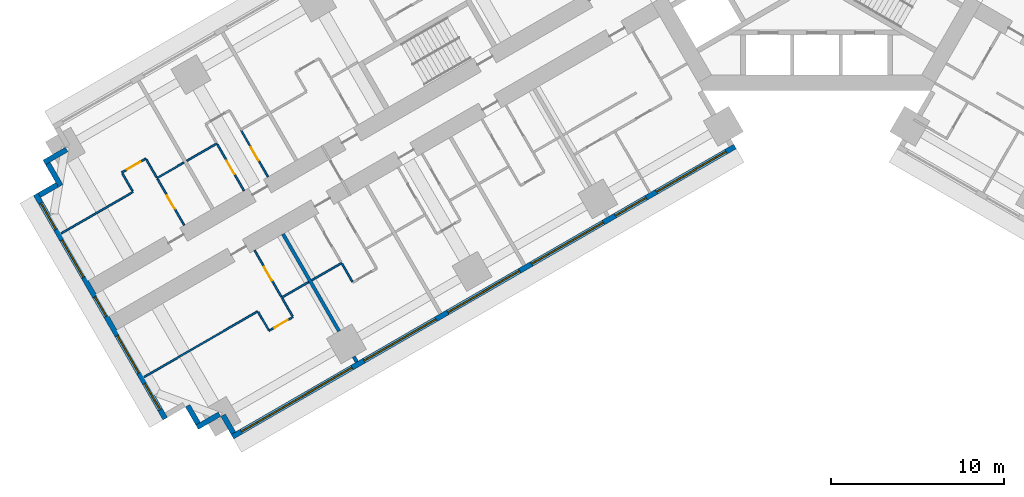
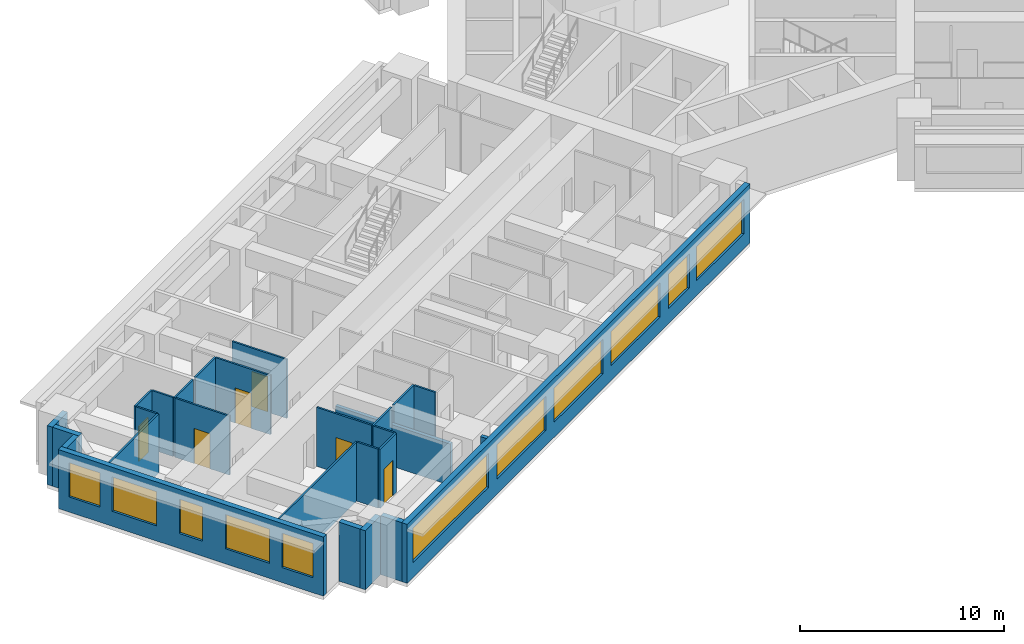
# One storey, part 3 of 16: 27 walls, 11 windows, 6 doors, 17 openings.
"""IFC4 building model written with IfcOpenShell, lengths in metres."""

from ifc_helpers import new_model, si_unit, direction, frame, frame_2d, origin, place, context, subcontext, project, spatial, rectangle, extrude, material, layer, layer_set, type_object, element, fill, save


model = new_model("IFC4")

# Units and contexts
model_context = context("Model", 3, precision=1e-05, world=origin(), true_north=direction((0.0, 1.0)))
body_context = subcontext(model_context, "Body", "Model", "MODEL_VIEW")
ifc_project = project(units=[si_unit("LENGTHUNIT", "METRE"), si_unit("AREAUNIT", "SQUARE_METRE"), si_unit("VOLUMEUNIT", "CUBIC_METRE"), si_unit("PLANEANGLEUNIT", "RADIAN"), si_unit("MASSUNIT", "GRAM", prefix="KILO")], contexts=[model_context])

# Site, building, storey
site_placement = place(None, origin())
site = spatial("IfcSite", under=ifc_project, at=site_placement, CompositionType="ELEMENT")
building_placement = place(site_placement, origin())
building = spatial("IfcBuilding", under=site, at=building_placement, Name="Impinga Residences", CompositionType="ELEMENT")
storey_placement = place(building_placement, frame((0.0, 0.0, 41.0)))
storey = spatial("IfcBuildingStorey", under=building, at=storey_placement, Name="L09", CompositionType="ELEMENT", Elevation=41.0)

# Walls
ifc_material_1 = material(Name="Terracotta rainscreen on blockwork", Category="masonry")
ifc_layer_1 = layer(ifc_material_1, 0.300048828125)
ifc_layer_set_1 = layer_set([ifc_layer_1], Name="EW1 external wall, terracotta rainscreen on blockwork 300")
wall_type_1 = type_object("IfcWallType", Name="EW1 external wall, terracotta rainscreen on blockwork 300", PredefinedType="SOLIDWALL", material=ifc_layer_set_1)
wall_1_placement = place(storey_placement, frame((-33.7685546875, -31.274169921875, 0.0), z_axis=(0.0, 0.0, 1.0), x_axis=(-0.499940577336, 0.866059708757, 0.0)))
element("IfcWall", 1, at=wall_1_placement, inside=storey, type_object=wall_type_1, Name="External wall EW1 L09", PredefinedType="SOLIDWALL", context=body_context, shape_type="SweptSolid", body=[
    extrude(rectangle(XDim=1.195068359375, YDim=0.300048828125, at=frame_2d((0.59765625, 0.0))), origin(), (0.0, 0.0, 1.0), 3.530029296875),
])
wall_2_placement = place(storey_placement, frame((-34.573486328125, -30.18017578125, 0.0), z_axis=(0.0, 0.0, 1.0), x_axis=(-0.866031096941, -0.499990139034, 0.0)))
element("IfcWall", 2, at=wall_2_placement, inside=storey, type_object=wall_type_1, Name="External wall EW1 L09", PredefinedType="SOLIDWALL", context=body_context, shape_type="SweptSolid", body=[
    extrude(rectangle(XDim=1.5, YDim=0.300048828125, at=frame_2d((0.75, 0.0))), origin(), (0.0, 0.0, 1.0), 3.530029296875),
])
wall_3_placement = place(storey_placement, frame((-35.817626953125, -30.72509765625, 0.0), z_axis=(0.0, 0.0, 1.0), x_axis=(-0.499969057507, 0.866043267704, 0.0)))
element("IfcWall", 3, at=wall_3_placement, inside=storey, type_object=wall_type_1, Name="External wall EW1 L09", PredefinedType="SOLIDWALL", context=body_context, shape_type="SweptSolid", body=[
    extrude(rectangle(XDim=1.19970703125, YDim=0.300048828125, at=frame_2d((0.599853515625, 0.0))), origin(), (0.0, 0.0, 1.0), 3.530029296875),
])

# Wall, openings, windows
wall_4_placement = place(storey_placement, frame((-37.716552734375, -30.43603515625, 0.0), z_axis=(0.0, 0.0, 1.0), x_axis=(-0.499997186618, 0.866027028085, 0.0)))
wall_4 = element("IfcWall", 4, at=wall_4_placement, inside=storey, type_object=wall_type_1, Name="External wall EW1 L09", PredefinedType="SOLIDWALL", context=body_context, shape_type="SweptSolid", body=[
    extrude(rectangle(XDim=15.0, YDim=0.300048828125, at=frame_2d((7.5, 0.0))), origin(), (0.0, 0.0, 1.0), 3.530029296875),
])
opening_1_placement = place(wall_4_placement, frame((0.60009765625, 0.0, 0.89990234375)))
opening_1 = element("IfcOpeningElement", 5, at=opening_1_placement, cuts=wall_4, Name="Opening W1", PredefinedType="OPENING", context=body_context, shape_type="SweptSolid", body=[
    extrude(rectangle(XDim=1.75, YDim=2.050048828125, at=frame_2d((0.875, 1.02490234375))), frame((0.0, 0.159912109375, 0.0), z_axis=(0.0, -1.0, 0.0), x_axis=(1.0, 0.0, 0.0)), (0.0, 0.0, 1.0), 0.320068359375),
])
opening_2_placement = place(wall_4_placement, frame((3.050048828125, 0.0, 0.89990234375)))
opening_2 = element("IfcOpeningElement", 6, at=opening_2_placement, cuts=wall_4, Name="Opening W2", PredefinedType="OPENING", context=body_context, shape_type="SweptSolid", body=[
    extrude(rectangle(XDim=2.5, YDim=2.050048828125, at=frame_2d((1.25, 1.02490234375))), frame((0.0, 0.159912109375, 0.0), z_axis=(0.0, -1.0, 0.0), x_axis=(1.0, 0.0, 0.0)), (0.0, 0.0, 1.0), 0.320068359375),
])
opening_3_placement = place(wall_4_placement, frame((6.85009765625, 0.0, 0.89990234375)))
opening_3 = element("IfcOpeningElement", 7, at=opening_3_placement, cuts=wall_4, Name="Opening WE1", PredefinedType="OPENING", context=body_context, shape_type="SweptSolid", body=[
    extrude(rectangle(XDim=1.300048828125, YDim=2.050048828125, at=frame_2d((0.64990234375, 1.02490234375))), frame((0.0, 0.159912109375, 0.0), z_axis=(0.0, -1.0, 0.0), x_axis=(1.0, 0.0, 0.0)), (0.0, 0.0, 1.0), 0.320068359375),
])
opening_4_placement = place(wall_4_placement, frame((9.449951171875, 0.0, 0.89990234375)))
opening_4 = element("IfcOpeningElement", 8, at=opening_4_placement, cuts=wall_4, Name="Opening W2", PredefinedType="OPENING", context=body_context, shape_type="SweptSolid", body=[
    extrude(rectangle(XDim=2.5, YDim=2.050048828125, at=frame_2d((1.25, 1.02490234375))), frame((0.0, 0.159912109375, 0.0), z_axis=(0.0, -1.0, 0.0), x_axis=(1.0, 0.0, 0.0)), (0.0, 0.0, 1.0), 0.320068359375),
])
opening_5_placement = place(wall_4_placement, frame((12.64990234375, 0.0, 0.89990234375)))
opening_5 = element("IfcOpeningElement", 9, at=opening_5_placement, cuts=wall_4, Name="Opening W1", PredefinedType="OPENING", context=body_context, shape_type="SweptSolid", body=[
    extrude(rectangle(XDim=1.75, YDim=2.050048828125, at=frame_2d((0.875, 1.02490234375))), frame((0.0, 0.159912109375, 0.0), z_axis=(0.0, -1.0, 0.0), x_axis=(1.0, 0.0, 0.0)), (0.0, 0.0, 1.0), 0.320068359375),
])
ifc_material_2 = material(Name="Aluminium window, clear double glazing", Category="aluminium")
window_type_1 = type_object("IfcWindowType", Name="W1 ribbon window 1750x2050", PartitioningType="SINGLE_PANEL", PredefinedType="WINDOW", material=ifc_material_2)
window_1_placement = place(opening_1_placement, origin())
window_1 = element("IfcWindow", 10, at=window_1_placement, inside=storey, type_object=window_type_1, Name="Window L09", OverallHeight=2.050048828125, OverallWidth=1.75, PartitioningType="SINGLE_PANEL", PredefinedType="WINDOW", context=body_context, shape_type="SweptSolid", body=[
    extrude(rectangle(XDim=1.75, YDim=2.050048828125, at=frame_2d((0.875, 1.02490234375))), frame((0.0, 0.030029296875, 0.0), z_axis=(0.0, -1.0, 0.0), x_axis=(1.0, 0.0, 0.0)), (0.0, 0.0, 1.0), 0.06005859375),
])
fill(opening_1, window_1)
window_2_placement = place(opening_5_placement, origin())
window_2 = element("IfcWindow", 11, at=window_2_placement, inside=storey, type_object=window_type_1, Name="Window L09", OverallHeight=2.050048828125, OverallWidth=1.75, PartitioningType="SINGLE_PANEL", PredefinedType="WINDOW", context=body_context, shape_type="SweptSolid", body=[
    extrude(rectangle(XDim=1.75, YDim=2.050048828125, at=frame_2d((0.875, 1.02490234375))), frame((0.0, 0.030029296875, 0.0), z_axis=(0.0, -1.0, 0.0), x_axis=(1.0, 0.0, 0.0)), (0.0, 0.0, 1.0), 0.06005859375),
])
fill(opening_5, window_2)
window_type_2 = type_object("IfcWindowType", Name="W2 ribbon window 2500x2050", PartitioningType="SINGLE_PANEL", PredefinedType="WINDOW", material=ifc_material_2)
window_3_placement = place(opening_2_placement, origin())
window_3 = element("IfcWindow", 12, at=window_3_placement, inside=storey, type_object=window_type_2, Name="Window L09", OverallHeight=2.050048828125, OverallWidth=2.5, PartitioningType="SINGLE_PANEL", PredefinedType="WINDOW", context=body_context, shape_type="SweptSolid", body=[
    extrude(rectangle(XDim=2.5, YDim=2.050048828125, at=frame_2d((1.25, 1.02490234375))), frame((0.0, 0.030029296875, 0.0), z_axis=(0.0, -1.0, 0.0), x_axis=(1.0, 0.0, 0.0)), (0.0, 0.0, 1.0), 0.06005859375),
])
fill(opening_2, window_3)
window_4_placement = place(opening_4_placement, origin())
window_4 = element("IfcWindow", 13, at=window_4_placement, inside=storey, type_object=window_type_2, Name="Window L09", OverallHeight=2.050048828125, OverallWidth=2.5, PartitioningType="SINGLE_PANEL", PredefinedType="WINDOW", context=body_context, shape_type="SweptSolid", body=[
    extrude(rectangle(XDim=2.5, YDim=2.050048828125, at=frame_2d((1.25, 1.02490234375))), frame((0.0, 0.030029296875, 0.0), z_axis=(0.0, -1.0, 0.0), x_axis=(1.0, 0.0, 0.0)), (0.0, 0.0, 1.0), 0.06005859375),
])
fill(opening_4, window_4)
window_type_3 = type_object("IfcWindowType", Name="WE1 corridor window 1300x2050", PartitioningType="SINGLE_PANEL", PredefinedType="WINDOW", material=ifc_material_2)
window_5_placement = place(opening_3_placement, origin())
window_5 = element("IfcWindow", 14, at=window_5_placement, inside=storey, type_object=window_type_3, Name="Window L09", OverallHeight=2.050048828125, OverallWidth=1.300048828125, PartitioningType="SINGLE_PANEL", PredefinedType="WINDOW", context=body_context, shape_type="SweptSolid", body=[
    extrude(rectangle(XDim=1.300048828125, YDim=2.050048828125, at=frame_2d((0.64990234375, 1.02490234375))), frame((0.0, 0.030029296875, 0.0), z_axis=(0.0, -1.0, 0.0), x_axis=(1.0, 0.0, 0.0)), (0.0, 0.0, 1.0), 0.06005859375),
])
fill(opening_3, window_5)

# Walls
wall_5_placement = place(storey_placement, frame((-45.01171875, -17.50048828125, 0.0), z_axis=(0.0, 0.0, 1.0), x_axis=(0.866059708757, 0.499940577336, 0.0)))
element("IfcWall", 15, at=wall_5_placement, inside=storey, type_object=wall_type_1, Name="External wall EW1 L09", PredefinedType="SOLIDWALL", context=body_context, shape_type="SweptSolid", body=[
    extrude(rectangle(XDim=1.195068359375, YDim=0.300048828125, at=frame_2d((0.59765625, 0.0))), origin(), (0.0, 0.0, 1.0), 3.530029296875),
])
for number, where, z_axis, x_axis, name in (
    (16, (-43.767578125, -16.955322265625, 0.0), (0.0, 0.0, 1.0), (-0.499990139034, 0.866031096941, 0.0), "External wall EW1 L09"),
    (17, (-44.722412109375, -15.6015625, 0.0), (0.0, 0.0, 1.0), (0.866031096941, 0.499990139034, 0.0), "External wall EW1 L09"),
):
    element("IfcWall", number, at=place(storey_placement, frame(where, z_axis=z_axis, x_axis=x_axis)), inside=storey, type_object=wall_type_1, Name=name, PredefinedType="SOLIDWALL", context=body_context, shape_type="SweptSolid", body=[
        extrude(rectangle(XDim=1.5, YDim=0.300048828125, at=frame_2d((0.75, 0.0))), origin(), (0.0, 0.0, 1.0), 3.530029296875),
    ])

# Wall, openings, windows
wall_6_placement = place(storey_placement, frame((-4.72509765625, -14.67919921875, 0.0), z_axis=(0.0, 0.0, 1.0), x_axis=(-0.866024291668, -0.500001926238, 0.0)))
wall_6 = element("IfcWall", 18, at=wall_6_placement, inside=storey, type_object=wall_type_1, Name="External wall EW1 L09", PredefinedType="SOLIDWALL", context=body_context, shape_type="SweptSolid", body=[
    extrude(rectangle(XDim=33.599853515625, YDim=0.300048828125, at=frame_2d((16.7998046875, 0.0))), origin(), (0.0, 0.0, 1.0), 3.530029296875),
])
opening_6_placement = place(wall_6_placement, frame((0.60009765625, 0.0, 0.89990234375)))
opening_6 = element("IfcOpeningElement", 19, at=opening_6_placement, cuts=wall_6, Name="Opening W10", PredefinedType="OPENING", context=body_context, shape_type="SweptSolid", body=[
    extrude(rectangle(XDim=4.64990234375, YDim=2.050048828125, at=frame_2d((2.324951171875, 1.02490234375))), frame((0.0, 0.159912109375, 0.0), z_axis=(0.0, -1.0, 0.0), x_axis=(1.0, 0.0, 0.0)), (0.0, 0.0, 1.0), 0.320068359375),
])
opening_7_placement = place(wall_6_placement, frame((5.949951171875, 0.0, 0.89990234375)))
opening_7 = element("IfcOpeningElement", 20, at=opening_7_placement, cuts=wall_6, Name="Opening W14", PredefinedType="OPENING", context=body_context, shape_type="SweptSolid", body=[
    extrude(rectangle(XDim=2.050048828125, YDim=2.050048828125, at=frame_2d((1.02490234375, 1.02490234375))), frame((0.0, 0.159912109375, 0.0), z_axis=(0.0, -1.0, 0.0), x_axis=(1.0, 0.0, 0.0)), (0.0, 0.0, 1.0), 0.320068359375),
])
opening_8_placement = place(wall_6_placement, frame((8.800048828125, 0.0, 0.89990234375)))
opening_8 = element("IfcOpeningElement", 21, at=opening_8_placement, cuts=wall_6, Name="Opening W8", PredefinedType="OPENING", context=body_context, shape_type="SweptSolid", body=[
    extrude(rectangle(XDim=4.800048828125, YDim=2.050048828125, at=frame_2d((2.39990234375, 1.02490234375))), frame((0.0, 0.159912109375, 0.0), z_axis=(0.0, -1.0, 0.0), x_axis=(1.0, 0.0, 0.0)), (0.0, 0.0, 1.0), 0.320068359375),
])
opening_9_placement = place(wall_6_placement, frame((14.39990234375, 0.0, 0.89990234375)))
opening_9 = element("IfcOpeningElement", 22, at=opening_9_placement, cuts=wall_6, Name="Opening W8", PredefinedType="OPENING", context=body_context, shape_type="SweptSolid", body=[
    extrude(rectangle(XDim=4.800048828125, YDim=2.050048828125, at=frame_2d((2.39990234375, 1.02490234375))), frame((0.0, 0.159912109375, 0.0), z_axis=(0.0, -1.0, 0.0), x_axis=(1.0, 0.0, 0.0)), (0.0, 0.0, 1.0), 0.320068359375),
])
opening_10_placement = place(wall_6_placement, frame((20.0, 0.0, 0.89990234375)))
opening_10 = element("IfcOpeningElement", 23, at=opening_10_placement, cuts=wall_6, Name="Opening W8", PredefinedType="OPENING", context=body_context, shape_type="SweptSolid", body=[
    extrude(rectangle(XDim=4.800048828125, YDim=2.050048828125, at=frame_2d((2.39990234375, 1.02490234375))), frame((0.0, 0.159912109375, 0.0), z_axis=(0.0, -1.0, 0.0), x_axis=(1.0, 0.0, 0.0)), (0.0, 0.0, 1.0), 0.320068359375),
])
opening_11_placement = place(wall_6_placement, frame((25.60009765625, 0.0, 0.89990234375)))
opening_11 = element("IfcOpeningElement", 24, at=opening_11_placement, cuts=wall_6, Name="Opening W12", PredefinedType="OPENING", context=body_context, shape_type="SweptSolid", body=[
    extrude(rectangle(XDim=7.39990234375, YDim=2.050048828125, at=frame_2d((3.699951171875, 1.02490234375))), frame((0.0, 0.159912109375, 0.0), z_axis=(0.0, -1.0, 0.0), x_axis=(1.0, 0.0, 0.0)), (0.0, 0.0, 1.0), 0.320068359375),
])
window_type_4 = type_object("IfcWindowType", Name="W10 ribbon window 4650x2050", PartitioningType="SINGLE_PANEL", PredefinedType="WINDOW", material=ifc_material_2)
window_6_placement = place(opening_6_placement, origin())
window_6 = element("IfcWindow", 25, at=window_6_placement, inside=storey, type_object=window_type_4, Name="Window L09", OverallHeight=2.050048828125, OverallWidth=4.64990234375, PartitioningType="SINGLE_PANEL", PredefinedType="WINDOW", context=body_context, shape_type="SweptSolid", body=[
    extrude(rectangle(XDim=4.64990234375, YDim=2.050048828125, at=frame_2d((2.324951171875, 1.02490234375))), frame((0.0, 0.030029296875, 0.0), z_axis=(0.0, -1.0, 0.0), x_axis=(1.0, 0.0, 0.0)), (0.0, 0.0, 1.0), 0.06005859375),
])
fill(opening_6, window_6)
window_type_5 = type_object("IfcWindowType", Name="W12 ribbon window 7400x2050", PartitioningType="SINGLE_PANEL", PredefinedType="WINDOW", material=ifc_material_2)
window_7_placement = place(opening_11_placement, origin())
window_7 = element("IfcWindow", 26, at=window_7_placement, inside=storey, type_object=window_type_5, Name="Window L09", OverallHeight=2.050048828125, OverallWidth=7.39990234375, PartitioningType="SINGLE_PANEL", PredefinedType="WINDOW", context=body_context, shape_type="SweptSolid", body=[
    extrude(rectangle(XDim=7.39990234375, YDim=2.050048828125, at=frame_2d((3.699951171875, 1.02490234375))), frame((0.0, 0.030029296875, 0.0), z_axis=(0.0, -1.0, 0.0), x_axis=(1.0, 0.0, 0.0)), (0.0, 0.0, 1.0), 0.06005859375),
])
fill(opening_11, window_7)
window_type_6 = type_object("IfcWindowType", Name="W14 ribbon window 2050x2050", PartitioningType="SINGLE_PANEL", PredefinedType="WINDOW", material=ifc_material_2)
window_8_placement = place(opening_7_placement, origin())
window_8 = element("IfcWindow", 27, at=window_8_placement, inside=storey, type_object=window_type_6, Name="Window L09", OverallHeight=2.050048828125, OverallWidth=2.050048828125, PartitioningType="SINGLE_PANEL", PredefinedType="WINDOW", context=body_context, shape_type="SweptSolid", body=[
    extrude(rectangle(XDim=2.050048828125, YDim=2.050048828125, at=frame_2d((1.02490234375, 1.02490234375))), frame((0.0, 0.030029296875, 0.0), z_axis=(0.0, -1.0, 0.0), x_axis=(1.0, 0.0, 0.0)), (0.0, 0.0, 1.0), 0.06005859375),
])
fill(opening_7, window_8)
window_type_7 = type_object("IfcWindowType", Name="W8 ribbon window 4800x2050", PartitioningType="SINGLE_PANEL", PredefinedType="WINDOW", material=ifc_material_2)
window_9_placement = place(opening_8_placement, origin())
window_9 = element("IfcWindow", 28, at=window_9_placement, inside=storey, type_object=window_type_7, Name="Window L09", OverallHeight=2.050048828125, OverallWidth=4.800048828125, PartitioningType="SINGLE_PANEL", PredefinedType="WINDOW", context=body_context, shape_type="SweptSolid", body=[
    extrude(rectangle(XDim=4.800048828125, YDim=2.050048828125, at=frame_2d((2.39990234375, 1.02490234375))), frame((0.0, 0.030029296875, 0.0), z_axis=(0.0, -1.0, 0.0), x_axis=(1.0, 0.0, 0.0)), (0.0, 0.0, 1.0), 0.06005859375),
])
fill(opening_8, window_9)
window_10_placement = place(opening_9_placement, origin())
window_10 = element("IfcWindow", 29, at=window_10_placement, inside=storey, type_object=window_type_7, Name="Window L09", OverallHeight=2.050048828125, OverallWidth=4.800048828125, PartitioningType="SINGLE_PANEL", PredefinedType="WINDOW", context=body_context, shape_type="SweptSolid", body=[
    extrude(rectangle(XDim=4.800048828125, YDim=2.050048828125, at=frame_2d((2.39990234375, 1.02490234375))), frame((0.0, 0.030029296875, 0.0), z_axis=(0.0, -1.0, 0.0), x_axis=(1.0, 0.0, 0.0)), (0.0, 0.0, 1.0), 0.06005859375),
])
fill(opening_9, window_10)
window_11_placement = place(opening_10_placement, origin())
window_11 = element("IfcWindow", 30, at=window_11_placement, inside=storey, type_object=window_type_7, Name="Window L09", OverallHeight=2.050048828125, OverallWidth=4.800048828125, PartitioningType="SINGLE_PANEL", PredefinedType="WINDOW", context=body_context, shape_type="SweptSolid", body=[
    extrude(rectangle(XDim=4.800048828125, YDim=2.050048828125, at=frame_2d((2.39990234375, 1.02490234375))), frame((0.0, 0.030029296875, 0.0), z_axis=(0.0, -1.0, 0.0), x_axis=(1.0, 0.0, 0.0)), (0.0, 0.0, 1.0), 0.06005859375),
])
fill(opening_10, window_11)

# Walls
ifc_material_3 = material(Name="Gypsum board on steel studs", Category="steel")
ifc_layer_2 = layer(ifc_material_3, 0.10009765625)
ifc_layer_set_2 = layer_set([ifc_layer_2], Name="Gypsum board on steel studs")
wall_type_2 = type_object("IfcWallType", Name="IP1 partition 100", PredefinedType="PARTITIONING", material=ifc_layer_set_2)
wall_7_placement = place(storey_placement, frame((-27.505126953125, -21.422607421875, 0.0), z_axis=(0.0, 0.0, 1.0), x_axis=(-0.866041268327, -0.499972520799, 0.0)))
element("IfcWall", 31, at=wall_7_placement, inside=storey, type_object=wall_type_2, Name="Partition L09-WA4:DIV1", PredefinedType="PARTITIONING", context=body_context, shape_type="SweptSolid", body=[
    extrude(rectangle(XDim=2.0, YDim=0.10009765625, at=frame_2d((1.0, 0.0))), origin(), (0.0, 0.0, 1.0), 3.530029296875),
])
wall_8_placement = place(storey_placement, frame((-27.480224609375, -21.466064453125, 0.0), z_axis=(0.0, 0.0, 1.0), x_axis=(0.50012165622, -0.865955154139, 0.0)))
element("IfcWall", 32, at=wall_8_placement, inside=storey, type_object=wall_type_2, Name="Partition L09-WA4:SE1", PredefinedType="PARTITIONING", context=body_context, shape_type="SweptSolid", body=[
    extrude(rectangle(XDim=1.199951171875, YDim=0.10009765625, at=frame_2d((0.60009765625, 0.0))), origin(), (0.0, 0.0, 1.0), 3.530029296875),
])
wall_9_placement = place(storey_placement, frame((-29.410400390625, -22.522705078125, 0.0), z_axis=(0.0, 0.0, 1.0), x_axis=(-0.866047807691, -0.499961193289, 0.0)))
element("IfcWall", 33, at=wall_9_placement, inside=storey, type_object=wall_type_2, Name="Partition L09-WA5:DIV0", PredefinedType="PARTITIONING", context=body_context, shape_type="SweptSolid", body=[
    extrude(rectangle(XDim=1.800048828125, YDim=0.10009765625, at=frame_2d((0.89990234375, 0.0))), origin(), (0.0, 0.0, 1.0), 3.530029296875),
])
wall_10_placement = place(storey_placement, frame((-32.35498046875, -24.22265625, 0.0), z_axis=(0.0, 0.0, 1.0), x_axis=(-0.866022425744, -0.500005158081, 0.0)))
element("IfcWall", 34, at=wall_10_placement, inside=storey, type_object=wall_type_2, Name="Partition L09-WA5:DIV1", PredefinedType="PARTITIONING", context=body_context, shape_type="SweptSolid", body=[
    extrude(rectangle(XDim=7.60009765625, YDim=0.10009765625, at=frame_2d((3.800048828125, 0.0))), origin(), (0.0, 0.0, 1.0), 3.530029296875),
])

# Wall, opening, door
wall_11_placement = place(storey_placement, frame((-30.3193359375, -24.548583984375, 0.0), z_axis=(0.0, 0.0, 1.0), x_axis=(-0.865989903783, -0.500061482766, 0.0)))
wall_11 = element("IfcWall", 35, at=wall_11_placement, inside=storey, type_object=wall_type_2, Name="Partition L09-WA5:STRIP", PredefinedType="PARTITIONING", context=body_context, shape_type="SweptSolid", body=[
    extrude(rectangle(XDim=1.599853515625, YDim=0.10009765625, at=frame_2d((0.7998046875, 0.0))), origin(), (0.0, 0.0, 1.0), 3.530029296875),
])
opening_12_placement = place(wall_11_placement, frame((0.35009765625, 0.0, 0.0)))
opening_12 = element("IfcOpeningElement", 36, at=opening_12_placement, cuts=wall_11, Name="Opening D2", PredefinedType="OPENING", context=body_context, shape_type="SweptSolid", body=[
    extrude(rectangle(XDim=0.89990234375, YDim=2.10009765625, at=frame_2d((0.449951171875, 1.050048828125))), frame((0.0, 0.06005859375, 0.0), z_axis=(0.0, -1.0, 0.0), x_axis=(1.0, 0.0, 0.0)), (0.0, 0.0, 1.0), 0.1201171875),
])
ifc_material_4 = material(Name="Timber door set", Category="wood")
door_type = type_object("IfcDoorType", Name="D2 internal door 900x2100", OperationType="SINGLE_SWING_LEFT", PredefinedType="DOOR", material=ifc_material_4)
door_1_placement = place(opening_12_placement, origin())
door_1 = element("IfcDoor", 37, at=door_1_placement, inside=storey, type_object=door_type, Name="Apartment L09-WA5 room door", OperationType="SINGLE_SWING_LEFT", OverallHeight=2.10009765625, OverallWidth=0.89990234375, PredefinedType="DOOR", context=body_context, shape_type="SweptSolid", body=[
    extrude(rectangle(XDim=0.89990234375, YDim=2.10009765625, at=frame_2d((0.449951171875, 1.050048828125))), frame((0.0, 0.02490234375, 0.0), z_axis=(0.0, -1.0, 0.0), x_axis=(1.0, 0.0, 0.0)), (0.0, 0.0, 1.0), 0.050048828125),
])
fill(opening_12, door_1)

# Walls
for number, where, z_axis, x_axis, name in (
    (38, (-30.9443359375, -23.466064453125, 0.0), (0.0, 0.0, 1.0), (0.50012165622, -0.865955154139, 0.0), "Partition L09-WA5:SE0"),
    (39, (-32.329833984375, -24.265869140625, 0.0), (0.0, 0.0, 1.0), (0.499880961361, -0.866094119867, 0.0), "Partition L09-WA5:SE1"),
):
    element("IfcWall", number, at=place(storey_placement, frame(where, z_axis=z_axis, x_axis=x_axis)), inside=storey, type_object=wall_type_2, Name=name, PredefinedType="PARTITIONING", context=body_context, shape_type="SweptSolid", body=[
        extrude(rectangle(XDim=1.199951171875, YDim=0.10009765625, at=frame_2d((0.60009765625, 0.0))), origin(), (0.0, 0.0, 1.0), 3.530029296875),
    ])

# Wall, opening, door
wall_12_placement = place(storey_placement, frame((-32.544189453125, -20.69482421875, 0.0), z_axis=(0.0, 0.0, 1.0), x_axis=(0.499967891604, -0.866043940782, 0.0)))
wall_12 = element("IfcWall", 40, at=wall_12_placement, inside=storey, type_object=wall_type_2, Name="Partition L09-WA5:IB1", PredefinedType="PARTITIONING", context=body_context, shape_type="SweptSolid", body=[
    extrude(rectangle(XDim=3.099853515625, YDim=0.10009765625, at=frame_2d((1.5498046875, 0.0))), origin(), (0.0, 0.0, 1.0), 3.530029296875),
])
opening_13_placement = place(wall_12_placement, frame((1.10009765625, 0.0, 0.0)))
opening_13 = element("IfcOpeningElement", 41, at=opening_13_placement, cuts=wall_12, Name="Opening D2", PredefinedType="OPENING", context=body_context, shape_type="SweptSolid", body=[
    extrude(rectangle(XDim=0.89990234375, YDim=2.10009765625, at=frame_2d((0.449951171875, 1.050048828125))), frame((0.0, 0.06005859375, 0.0), z_axis=(0.0, -1.0, 0.0), x_axis=(1.0, 0.0, 0.0)), (0.0, 0.0, 1.0), 0.1201171875),
])
door_2_placement = place(opening_13_placement, origin())
door_2 = element("IfcDoor", 42, at=door_2_placement, inside=storey, type_object=door_type, Name="Apartment L09-WA5 bathroom door", OperationType="SINGLE_SWING_LEFT", OverallHeight=2.10009765625, OverallWidth=0.89990234375, PredefinedType="DOOR", context=body_context, shape_type="SweptSolid", body=[
    extrude(rectangle(XDim=0.89990234375, YDim=2.10009765625, at=frame_2d((0.449951171875, 1.050048828125))), frame((0.0, 0.02490234375, 0.0), z_axis=(0.0, -1.0, 0.0), x_axis=(1.0, 0.0, 0.0)), (0.0, 0.0, 1.0), 0.050048828125),
])
fill(opening_13, door_2)

# Wall
wall_13_placement = place(storey_placement, frame((-34.72998046875, -14.5087890625, 0.0), z_axis=(0.0, 0.0, 1.0), x_axis=(-0.866041268327, -0.499972520799, 0.0)))
element("IfcWall", 43, at=wall_13_placement, inside=storey, type_object=wall_type_2, Name="Partition L09-WF3:DIV1", PredefinedType="PARTITIONING", context=body_context, shape_type="SweptSolid", body=[
    extrude(rectangle(XDim=2.0, YDim=0.10009765625, at=frame_2d((1.0, 0.0))), origin(), (0.0, 0.0, 1.0), 3.530029296875),
])

# Wall, opening, door
wall_14_placement = place(storey_placement, frame((-31.76953125, -16.436767578125, 0.0), z_axis=(0.0, 0.0, 1.0), x_axis=(-0.499967891604, 0.866043940782, 0.0)))
wall_14 = element("IfcWall", 44, at=wall_14_placement, inside=storey, type_object=wall_type_2, Name="Partition L09-WF3:IB1", PredefinedType="PARTITIONING", context=body_context, shape_type="SweptSolid", body=[
    extrude(rectangle(XDim=3.099853515625, YDim=0.10009765625, at=frame_2d((1.5498046875, 0.0))), origin(), (0.0, 0.0, 1.0), 3.530029296875),
])
opening_14_placement = place(wall_14_placement, frame((1.10009765625, 0.0, 0.0)))
opening_14 = element("IfcOpeningElement", 45, at=opening_14_placement, cuts=wall_14, Name="Opening D2", PredefinedType="OPENING", context=body_context, shape_type="SweptSolid", body=[
    extrude(rectangle(XDim=0.89990234375, YDim=2.10009765625, at=frame_2d((0.449951171875, 1.050048828125))), frame((0.0, 0.06005859375, 0.0), z_axis=(0.0, -1.0, 0.0), x_axis=(1.0, 0.0, 0.0)), (0.0, 0.0, 1.0), 0.1201171875),
])
door_3_placement = place(opening_14_placement, origin())
door_3 = element("IfcDoor", 46, at=door_3_placement, inside=storey, type_object=door_type, Name="Apartment L09-WF3 bathroom door", OperationType="SINGLE_SWING_LEFT", OverallHeight=2.10009765625, OverallWidth=0.89990234375, PredefinedType="DOOR", context=body_context, shape_type="SweptSolid", body=[
    extrude(rectangle(XDim=0.89990234375, YDim=2.10009765625, at=frame_2d((0.449951171875, 1.050048828125))), frame((0.0, 0.02490234375, 0.0), z_axis=(0.0, -1.0, 0.0), x_axis=(1.0, 0.0, 0.0)), (0.0, 0.0, 1.0), 0.050048828125),
])
fill(opening_14, door_3)

wall_15_placement = place(storey_placement, frame((-33.155029296875, -17.23681640625, 0.0), z_axis=(0.0, 0.0, 1.0), x_axis=(-0.500026960575, 0.86600983753, 0.0)))
wall_15 = element("IfcWall", 47, at=wall_15_placement, inside=storey, type_object=wall_type_2, Name="Partition L09-WF3:IB2", PredefinedType="PARTITIONING", context=body_context, shape_type="SweptSolid", body=[
    extrude(rectangle(XDim=3.099853515625, YDim=0.10009765625, at=frame_2d((1.5498046875, 0.0))), origin(), (0.0, 0.0, 1.0), 3.530029296875),
])
opening_15_placement = place(wall_15_placement, frame((1.10009765625, 0.0, 0.0)))
opening_15 = element("IfcOpeningElement", 48, at=opening_15_placement, cuts=wall_15, Name="Opening D2", PredefinedType="OPENING", context=body_context, shape_type="SweptSolid", body=[
    extrude(rectangle(XDim=0.89990234375, YDim=2.10009765625, at=frame_2d((0.449951171875, 1.050048828125))), frame((0.0, 0.06005859375, 0.0), z_axis=(0.0, -1.0, 0.0), x_axis=(1.0, 0.0, 0.0)), (0.0, 0.0, 1.0), 0.1201171875),
])
door_4_placement = place(opening_15_placement, origin())
door_4 = element("IfcDoor", 49, at=door_4_placement, inside=storey, type_object=door_type, Name="Apartment L09-WF3 WC door", OperationType="SINGLE_SWING_LEFT", OverallHeight=2.10009765625, OverallWidth=0.89990234375, PredefinedType="DOOR", context=body_context, shape_type="SweptSolid", body=[
    extrude(rectangle(XDim=0.89990234375, YDim=2.10009765625, at=frame_2d((0.449951171875, 1.050048828125))), frame((0.0, 0.02490234375, 0.0), z_axis=(0.0, -1.0, 0.0), x_axis=(1.0, 0.0, 0.0)), (0.0, 0.0, 1.0), 0.050048828125),
])
fill(opening_15, door_4)

# Walls
wall_16_placement = place(storey_placement, frame((-36.63525390625, -15.60888671875, 0.0), z_axis=(0.0, 0.0, 1.0), x_axis=(-0.866047807691, -0.499961193289, 0.0)))
element("IfcWall", 50, at=wall_16_placement, inside=storey, type_object=wall_type_2, Name="Partition L09-WF4:DIV0", PredefinedType="PARTITIONING", context=body_context, shape_type="SweptSolid", body=[
    extrude(rectangle(XDim=1.800048828125, YDim=0.10009765625, at=frame_2d((0.89990234375, 0.0))), origin(), (0.0, 0.0, 1.0), 3.530029296875),
])
wall_17_placement = place(storey_placement, frame((-39.579833984375, -17.308837890625, 0.0), z_axis=(0.0, 0.0, 1.0), x_axis=(-0.866037363387, -0.499979284789, 0.0)))
element("IfcWall", 51, at=wall_17_placement, inside=storey, type_object=wall_type_2, Name="Partition L09-WF4:DIV1", PredefinedType="PARTITIONING", context=body_context, shape_type="SweptSolid", body=[
    extrude(rectangle(XDim=4.800048828125, YDim=0.10009765625, at=frame_2d((2.39990234375, 0.0))), origin(), (0.0, 0.0, 1.0), 3.530029296875),
])

# Wall, opening, door
wall_18_placement = place(storey_placement, frame((-38.84423828125, -15.383056640625, 0.0), z_axis=(0.0, 0.0, 1.0), x_axis=(-0.865989903783, -0.500061482766, 0.0)))
wall_18 = element("IfcWall", 52, at=wall_18_placement, inside=storey, type_object=wall_type_2, Name="Partition L09-WF4:STRIP", PredefinedType="PARTITIONING", context=body_context, shape_type="SweptSolid", body=[
    extrude(rectangle(XDim=1.599853515625, YDim=0.10009765625, at=frame_2d((0.7998046875, 0.0))), origin(), (0.0, 0.0, 1.0), 3.530029296875),
])
opening_16_placement = place(wall_18_placement, frame((0.35009765625, 0.0, 0.0)))
opening_16 = element("IfcOpeningElement", 53, at=opening_16_placement, cuts=wall_18, Name="Opening D2", PredefinedType="OPENING", context=body_context, shape_type="SweptSolid", body=[
    extrude(rectangle(XDim=0.89990234375, YDim=2.10009765625, at=frame_2d((0.449951171875, 1.050048828125))), frame((0.0, 0.06005859375, 0.0), z_axis=(0.0, -1.0, 0.0), x_axis=(1.0, 0.0, 0.0)), (0.0, 0.0, 1.0), 0.1201171875),
])
door_5_placement = place(opening_16_placement, origin())
door_5 = element("IfcDoor", 54, at=door_5_placement, inside=storey, type_object=door_type, Name="Apartment L09-WF4 room door", OperationType="SINGLE_SWING_LEFT", OverallHeight=2.10009765625, OverallWidth=0.89990234375, PredefinedType="DOOR", context=body_context, shape_type="SweptSolid", body=[
    extrude(rectangle(XDim=0.89990234375, YDim=2.10009765625, at=frame_2d((0.449951171875, 1.050048828125))), frame((0.0, 0.02490234375, 0.0), z_axis=(0.0, -1.0, 0.0), x_axis=(1.0, 0.0, 0.0)), (0.0, 0.0, 1.0), 0.050048828125),
])
fill(opening_16, door_5)

# Walls
wall_19_placement = place(storey_placement, frame((-38.21923828125, -16.465576171875, 0.0), z_axis=(0.0, 0.0, 1.0), x_axis=(-0.499880961361, 0.866094119867, 0.0)))
element("IfcWall", 55, at=wall_19_placement, inside=storey, type_object=wall_type_2, Name="Partition L09-WF4:SE0", PredefinedType="PARTITIONING", context=body_context, shape_type="SweptSolid", body=[
    extrude(rectangle(XDim=1.199951171875, YDim=0.10009765625, at=frame_2d((0.60009765625, 0.0))), origin(), (0.0, 0.0, 1.0), 3.530029296875),
])
wall_20_placement = place(storey_placement, frame((-39.604736328125, -17.265625, 0.0), z_axis=(0.0, 0.0, 1.0), x_axis=(-0.500033551112, 0.866006032174, 0.0)))
element("IfcWall", 56, at=wall_20_placement, inside=storey, type_object=wall_type_2, Name="Partition L09-WF4:SE1", PredefinedType="PARTITIONING", context=body_context, shape_type="SweptSolid", body=[
    extrude(rectangle(XDim=1.2001953125, YDim=0.10009765625, at=frame_2d((0.60009765625, 0.0))), origin(), (0.0, 0.0, 1.0), 3.530029296875),
])

# Wall, opening, door
wall_21_placement = place(storey_placement, frame((-36.619140625, -19.23681640625, 0.0), z_axis=(0.0, 0.0, 1.0), x_axis=(-0.500026960575, 0.86600983753, 0.0)))
wall_21 = element("IfcWall", 57, at=wall_21_placement, inside=storey, type_object=wall_type_2, Name="Partition L09-WF4:IB1", PredefinedType="PARTITIONING", context=body_context, shape_type="SweptSolid", body=[
    extrude(rectangle(XDim=3.099853515625, YDim=0.10009765625, at=frame_2d((1.5498046875, 0.0))), origin(), (0.0, 0.0, 1.0), 3.530029296875),
])
opening_17_placement = place(wall_21_placement, frame((1.10009765625, 0.0, 0.0)))
opening_17 = element("IfcOpeningElement", 58, at=opening_17_placement, cuts=wall_21, Name="Opening D2", PredefinedType="OPENING", context=body_context, shape_type="SweptSolid", body=[
    extrude(rectangle(XDim=0.89990234375, YDim=2.10009765625, at=frame_2d((0.449951171875, 1.050048828125))), frame((0.0, 0.06005859375, 0.0), z_axis=(0.0, -1.0, 0.0), x_axis=(1.0, 0.0, 0.0)), (0.0, 0.0, 1.0), 0.1201171875),
])
door_6_placement = place(opening_17_placement, origin())
door_6 = element("IfcDoor", 59, at=door_6_placement, inside=storey, type_object=door_type, Name="Apartment L09-WF4 bathroom door", OperationType="SINGLE_SWING_LEFT", OverallHeight=2.10009765625, OverallWidth=0.89990234375, PredefinedType="DOOR", context=body_context, shape_type="SweptSolid", body=[
    extrude(rectangle(XDim=0.89990234375, YDim=2.10009765625, at=frame_2d((0.449951171875, 1.050048828125))), frame((0.0, 0.02490234375, 0.0), z_axis=(0.0, -1.0, 0.0), x_axis=(1.0, 0.0, 0.0)), (0.0, 0.0, 1.0), 0.050048828125),
])
fill(opening_17, door_6)

# Walls
ifc_material_5 = material(Name="Concrete blockwork", Category="masonry")
ifc_layer_3 = layer(ifc_material_5, 0.199951171875)
ifc_layer_set_3 = layer_set([ifc_layer_3], Name="PW1 party wall between apartments 200")
wall_type_3 = type_object("IfcWallType", Name="PW1 party wall between apartments 200", PredefinedType="SOLIDWALL", material=ifc_layer_set_3)
wall_22_placement = place(storey_placement, frame((-30.89892578125, -19.74462890625, 0.0), z_axis=(0.0, 0.0, 1.0), x_axis=(0.50000098154, -0.866024837091, 0.0)))
element("IfcWall", 60, at=wall_22_placement, inside=storey, type_object=wall_type_3, Name="Party wall between apartments L09-WA4:PARTY", PredefinedType="SOLIDWALL", context=body_context, shape_type="SweptSolid", body=[
    extrude(rectangle(XDim=6.5, YDim=0.199951171875, at=frame_2d((3.25, 0.0))), origin(), (0.0, 0.0, 1.0), 2.47998046875),
])
wall_23_placement = place(storey_placement, frame((-26.798828125, -26.84619140625, 0.0), z_axis=(0.0, 0.0, 1.0), x_axis=(0.500265973451, -0.865871789474, 0.0)))
element("IfcWall", 61, at=wall_23_placement, inside=storey, type_object=wall_type_3, Name="Party wall between apartments L09-WA4:PARTYb", PredefinedType="SOLIDWALL", context=body_context, shape_type="SweptSolid", body=[
    extrude(rectangle(XDim=0.349853515625, YDim=0.199951171875, at=frame_2d((0.1748046875, 0.0))), origin(), (0.0, 0.0, 1.0), 3.530029296875),
])

save(model, "model.ifc")
